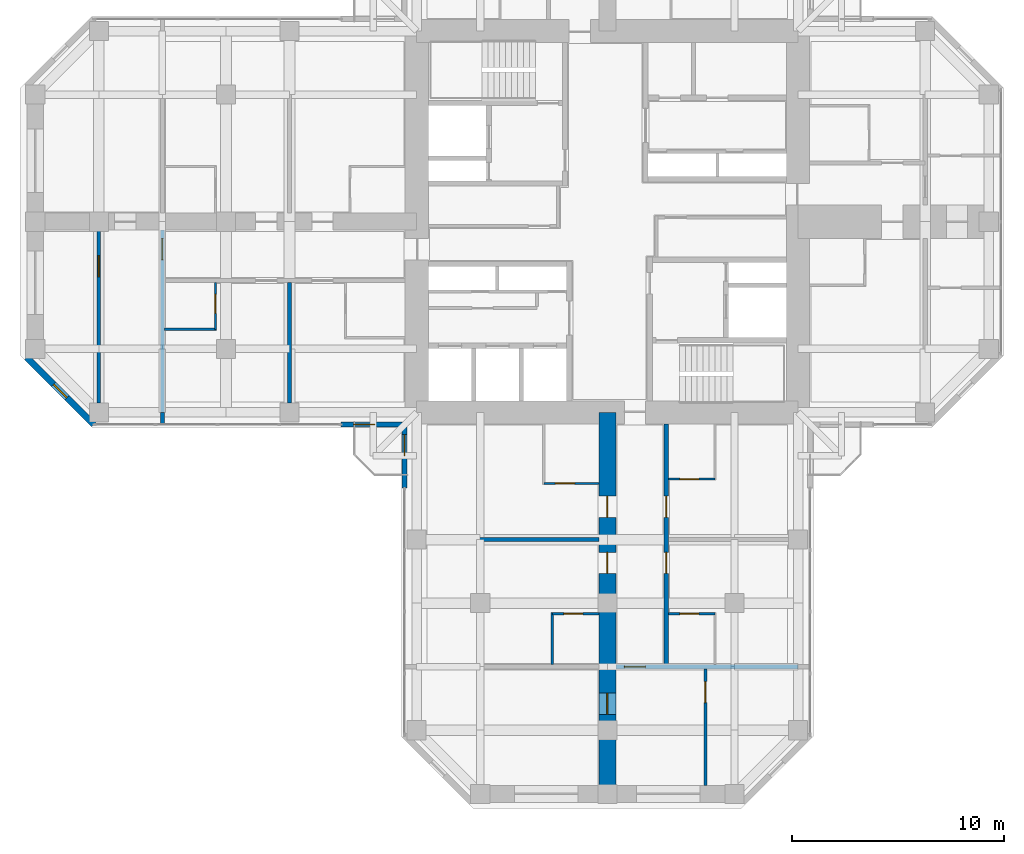
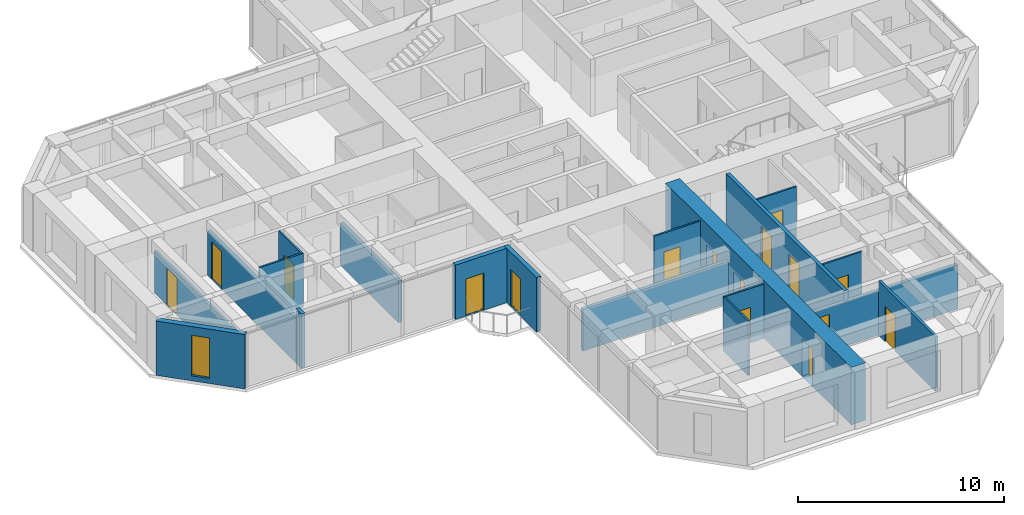
# One storey, part 8 of 14: 19 walls, 16 doors, 1 window, 17 openings.
"""IFC4 building model written with IfcOpenShell, lengths in metres."""

from ifc_helpers import new_model, si_unit, direction, frame, frame_2d, origin, place, context, subcontext, project, spatial, rectangle, hollow_rectangle, extrude, material, layer, layer_set, constituent, constituent_set, type_object, element, fill, save


model = new_model("IFC4")

# Units and contexts
model_context = context("Model", 3, precision=1e-05, world=origin(), true_north=direction((0.0, 1.0)))
body_context = subcontext(model_context, "Body", "Model", "MODEL_VIEW")
ifc_project = project(units=[si_unit("LENGTHUNIT", "METRE"), si_unit("AREAUNIT", "SQUARE_METRE"), si_unit("VOLUMEUNIT", "CUBIC_METRE"), si_unit("PLANEANGLEUNIT", "RADIAN"), si_unit("MASSUNIT", "GRAM", prefix="KILO")], contexts=[model_context])

# Site, building, storey
site_placement = place(None, origin())
site = spatial("IfcSite", under=ifc_project, at=site_placement, CompositionType="ELEMENT")
building_placement = place(site_placement, origin())
building = spatial("IfcBuilding", under=site, at=building_placement, Name="Torre Cruceta", CompositionType="ELEMENT")
storey_placement = place(building_placement, frame((0.0, 0.0, 176.300048828125)))
storey = spatial("IfcBuildingStorey", under=building, at=storey_placement, Name="L43", CompositionType="ELEMENT", Elevation=176.300048828125)

# Wall, opening, door
ifc_material_1 = material(Name="Water-resistant plasterboard on steel studs", Category="steel")
ifc_layer_1 = layer(ifc_material_1, 0.10009765625)
ifc_layer_set_1 = layer_set([ifc_layer_1], Name="Water-resistant plasterboard on steel studs")
wall_type_1 = type_object("IfcWallType", Name="BATHROOM WALL 100", PredefinedType="PARTITIONING", material=ifc_layer_set_1)
wall_1_placement = place(storey_placement, frame((2.875, -12.14990234375, 0.0), z_axis=(0.0, 0.0, 1.0), x_axis=(1.0, 0.0, 0.0)))
wall_1 = element("IfcWall", 1, at=wall_1_placement, inside=storey, type_object=wall_type_1, Name="PT4 L43-S-U1LBS", PredefinedType="PARTITIONING", context=body_context, shape_type="SweptSolid", body=[
    extrude(rectangle(XDim=2.199951171875, YDim=0.10009765625, at=frame_2d((1.10009765625, 0.0))), origin(), (0.0, 0.0, 1.0), 3.219970703125),
])
opening_1_placement = place(wall_1_placement, frame((0.550048828125, 0.0, 0.0)))
opening_1 = element("IfcOpeningElement", 2, at=opening_1_placement, cuts=wall_1, Name="Opening D7", PredefinedType="OPENING", context=body_context, shape_type="SweptSolid", body=[
    extrude(rectangle(XDim=0.89990234375, YDim=2.10009765625, at=frame_2d((0.449951171875, 1.050048828125))), frame((0.0, 0.06005859375, 0.0), z_axis=(0.0, -1.0, 0.0), x_axis=(1.0, 0.0, 0.0)), (0.0, 0.0, 1.0), 0.1201171875),
])
ifc_material_2 = material(Name="Timber door", Category="wood")
door_type_1 = type_object("IfcDoorType", Name="BATHROOM DOOR 900X2100", OperationType="SINGLE_SWING_LEFT", PredefinedType="DOOR", material=ifc_material_2)
door_1_placement = place(opening_1_placement, origin())
door_1 = element("IfcDoor", 3, at=door_1_placement, inside=storey, type_object=door_type_1, Name="D7 L43-S-U1LBS-D1", OperationType="SINGLE_SWING_LEFT", OverallHeight=2.10009765625, OverallWidth=0.89990234375, PredefinedType="DOOR", context=body_context, shape_type="SweptSolid", body=[
    extrude(rectangle(XDim=0.89990234375, YDim=2.10009765625, at=frame_2d((0.449951171875, 1.050048828125))), frame((0.0, 0.02490234375, 0.0), z_axis=(0.0, -1.0, 0.0), x_axis=(1.0, 0.0, 0.0)), (0.0, 0.0, 1.0), 0.050048828125),
])
fill(opening_1, door_1)

wall_2_placement = place(storey_placement, frame((-3.0, -12.35009765625, 0.0), z_axis=(0.0, 0.0, 1.0), x_axis=(1.0, 0.0, 0.0)))
wall_2 = element("IfcWall", 4, at=wall_2_placement, inside=storey, type_object=wall_type_1, Name="PT4 L43-S-U1RBS", PredefinedType="PARTITIONING", context=body_context, shape_type="SweptSolid", body=[
    extrude(rectangle(XDim=2.60009765625, YDim=0.10009765625, at=frame_2d((1.300048828125, 0.0))), origin(), (0.0, 0.0, 1.0), 3.219970703125),
])
opening_2_placement = place(wall_2_placement, frame((0.550048828125, 0.0, 0.0)))
opening_2 = element("IfcOpeningElement", 5, at=opening_2_placement, cuts=wall_2, Name="Opening D7", PredefinedType="OPENING", context=body_context, shape_type="SweptSolid", body=[
    extrude(rectangle(XDim=0.89990234375, YDim=2.10009765625, at=frame_2d((0.449951171875, 1.050048828125))), frame((0.0, 0.06005859375, 0.0), z_axis=(0.0, -1.0, 0.0), x_axis=(1.0, 0.0, 0.0)), (0.0, 0.0, 1.0), 0.1201171875),
])
door_2_placement = place(opening_2_placement, origin())
door_2 = element("IfcDoor", 6, at=door_2_placement, inside=storey, type_object=door_type_1, Name="D7 L43-S-U1RBS-D1", OperationType="SINGLE_SWING_LEFT", OverallHeight=2.10009765625, OverallWidth=0.89990234375, PredefinedType="DOOR", context=body_context, shape_type="SweptSolid", body=[
    extrude(rectangle(XDim=0.89990234375, YDim=2.10009765625, at=frame_2d((0.449951171875, 1.050048828125))), frame((0.0, 0.02490234375, 0.0), z_axis=(0.0, -1.0, 0.0), x_axis=(1.0, 0.0, 0.0)), (0.0, 0.0, 1.0), 0.050048828125),
])
fill(opening_2, door_2)

wall_3_placement = place(storey_placement, frame((2.875, -18.5, 0.0), z_axis=(0.0, 0.0, 1.0), x_axis=(1.0, 0.0, 0.0)))
wall_3 = element("IfcWall", 7, at=wall_3_placement, inside=storey, type_object=wall_type_1, Name="PT4 L43-S-U2LBS", PredefinedType="PARTITIONING", context=body_context, shape_type="SweptSolid", body=[
    extrude(rectangle(XDim=2.199951171875, YDim=0.10009765625, at=frame_2d((1.10009765625, 0.0))), origin(), (0.0, 0.0, 1.0), 3.219970703125),
])
opening_3_placement = place(wall_3_placement, frame((0.550048828125, 0.0, 0.0)))
opening_3 = element("IfcOpeningElement", 8, at=opening_3_placement, cuts=wall_3, Name="Opening D7", PredefinedType="OPENING", context=body_context, shape_type="SweptSolid", body=[
    extrude(rectangle(XDim=0.89990234375, YDim=2.10009765625, at=frame_2d((0.449951171875, 1.050048828125))), frame((0.0, 0.06005859375, 0.0), z_axis=(0.0, -1.0, 0.0), x_axis=(1.0, 0.0, 0.0)), (0.0, 0.0, 1.0), 0.1201171875),
])
door_3_placement = place(opening_3_placement, frame((0.89990234375, 0.0, 0.0), z_axis=(0.0, 0.0, 1.0), x_axis=(-1.0, 0.0, 0.0)))
door_3 = element("IfcDoor", 9, at=door_3_placement, inside=storey, type_object=door_type_1, Name="D7 L43-S-U2LBS-D1", OperationType="SINGLE_SWING_RIGHT", OverallHeight=2.10009765625, OverallWidth=0.89990234375, PredefinedType="DOOR", context=body_context, shape_type="SweptSolid", body=[
    extrude(rectangle(XDim=0.89990234375, YDim=2.10009765625, at=frame_2d((0.449951171875, 1.050048828125))), frame((0.0, 0.025146484375, 0.0), z_axis=(0.0, -1.0, 0.0), x_axis=(1.0, 0.0, 0.0)), (0.0, 0.0, 1.0), 0.050048828125),
])
fill(opening_3, door_3)

# Wall
wall_4_placement = place(storey_placement, frame((-2.60009765625, -18.449951171875, 0.0), z_axis=(0.0, 0.0, 1.0), x_axis=(0.0, -1.0, 0.0)))
element("IfcWall", 10, at=wall_4_placement, inside=storey, type_object=wall_type_1, Name="PT4 L43-S-U2RBB", PredefinedType="PARTITIONING", context=body_context, shape_type="SweptSolid", body=[
    extrude(rectangle(XDim=2.449951171875, YDim=0.10009765625, at=frame_2d((1.22509765625, 0.0))), origin(), (0.0, 0.0, 1.0), 3.219970703125),
])

# Wall, opening, door
wall_5_placement = place(storey_placement, frame((-2.60009765625, -18.5, 0.0), z_axis=(0.0, 0.0, 1.0), x_axis=(1.0, 0.0, 0.0)))
wall_5 = element("IfcWall", 11, at=wall_5_placement, inside=storey, type_object=wall_type_1, Name="PT4 L43-S-U2RBS", PredefinedType="PARTITIONING", context=body_context, shape_type="SweptSolid", body=[
    extrude(rectangle(XDim=2.2001953125, YDim=0.10009765625, at=frame_2d((1.10009765625, 0.0))), origin(), (0.0, 0.0, 1.0), 3.219970703125),
])
opening_4_placement = place(wall_5_placement, frame((0.550048828125, 0.0, 0.0)))
opening_4 = element("IfcOpeningElement", 12, at=opening_4_placement, cuts=wall_5, Name="Opening D7", PredefinedType="OPENING", context=body_context, shape_type="SweptSolid", body=[
    extrude(rectangle(XDim=0.89990234375, YDim=2.10009765625, at=frame_2d((0.449951171875, 1.050048828125))), frame((0.0, 0.06005859375, 0.0), z_axis=(0.0, -1.0, 0.0), x_axis=(1.0, 0.0, 0.0)), (0.0, 0.0, 1.0), 0.1201171875),
])
door_4_placement = place(opening_4_placement, frame((0.89990234375, 0.0, 0.0), z_axis=(0.0, 0.0, 1.0), x_axis=(-1.0, 0.0, 0.0)))
door_4 = element("IfcDoor", 13, at=door_4_placement, inside=storey, type_object=door_type_1, Name="D7 L43-S-U2RBS-D1", OperationType="SINGLE_SWING_RIGHT", OverallHeight=2.10009765625, OverallWidth=0.89990234375, PredefinedType="DOOR", context=body_context, shape_type="SweptSolid", body=[
    extrude(rectangle(XDim=0.89990234375, YDim=2.10009765625, at=frame_2d((0.449951171875, 1.050048828125))), frame((0.0, 0.025146484375, 0.0), z_axis=(0.0, -1.0, 0.0), x_axis=(1.0, 0.0, 0.0)), (0.0, 0.0, 1.0), 0.050048828125),
])
fill(opening_4, door_4)

# Wall
wall_6_placement = place(storey_placement, frame((-18.449951171875, -5.074951171875, 0.0), z_axis=(0.0, 0.0, 1.0), x_axis=(-1.0, 0.0, 0.0)))
element("IfcWall", 14, at=wall_6_placement, inside=storey, type_object=wall_type_1, Name="PT4 L43-W-U2LBB", PredefinedType="PARTITIONING", context=body_context, shape_type="SweptSolid", body=[
    extrude(rectangle(XDim=2.449951171875, YDim=0.10009765625, at=frame_2d((1.22509765625, 0.0))), origin(), (0.0, 0.0, 1.0), 3.219970703125),
])

# Wall, opening, door
wall_7_placement = place(storey_placement, frame((-18.5, -2.875, 0.0), z_axis=(0.0, 0.0, 1.0), x_axis=(0.0, -1.0, 0.0)))
wall_7 = element("IfcWall", 15, at=wall_7_placement, inside=storey, type_object=wall_type_1, Name="PT4 L43-W-U2LBS", PredefinedType="PARTITIONING", context=body_context, shape_type="SweptSolid", body=[
    extrude(rectangle(XDim=2.199951171875, YDim=0.10009765625, at=frame_2d((1.10009765625, 0.0))), origin(), (0.0, 0.0, 1.0), 3.219970703125),
])
opening_5_placement = place(wall_7_placement, frame((0.550048828125, 0.0, 0.0)))
opening_5 = element("IfcOpeningElement", 16, at=opening_5_placement, cuts=wall_7, Name="Opening D7", PredefinedType="OPENING", context=body_context, shape_type="SweptSolid", body=[
    extrude(rectangle(XDim=0.89990234375, YDim=2.10009765625, at=frame_2d((0.449951171875, 1.050048828125))), frame((0.0, 0.06005859375, 0.0), z_axis=(0.0, -1.0, 0.0), x_axis=(1.0, 0.0, 0.0)), (0.0, 0.0, 1.0), 0.1201171875),
])
door_5_placement = place(opening_5_placement, frame((0.89990234375, 0.0, 0.0), z_axis=(0.0, 0.0, 1.0), x_axis=(-1.0, 0.0, 0.0)))
door_5 = element("IfcDoor", 17, at=door_5_placement, inside=storey, type_object=door_type_1, Name="D7 L43-W-U2LBS-D1", OperationType="SINGLE_SWING_RIGHT", OverallHeight=2.10009765625, OverallWidth=0.89990234375, PredefinedType="DOOR", context=body_context, shape_type="SweptSolid", body=[
    extrude(rectangle(XDim=0.89990234375, YDim=2.10009765625, at=frame_2d((0.449951171875, 1.050048828125))), frame((0.0, 0.025146484375, 0.0), z_axis=(0.0, -1.0, 0.0), x_axis=(1.0, 0.0, 0.0)), (0.0, 0.0, 1.0), 0.050048828125),
])
fill(opening_5, door_5)

# Wall, openings, doors
ifc_material_3 = material(Name="Concrete G25 (fck 25 MPa)", Category="concrete")
ifc_layer_2 = layer(ifc_material_3, 0.199951171875)
ifc_layer_set_2 = layer_set([ifc_layer_2], Name="Concrete G25 (fck 25 MPa)")
wall_type_2 = type_object("IfcWallType", Name="CORRIDOR WALL 200", PredefinedType="SOLIDWALL", material=ifc_layer_set_2)
wall_8_placement = place(storey_placement, frame((2.77490234375, -9.550048828125, 0.0), z_axis=(0.0, 0.0, 1.0), x_axis=(0.0, -1.0, 0.0)))
wall_8 = element("IfcWall", 18, at=wall_8_placement, inside=storey, type_object=wall_type_2, Name="PT3 L43-S-CL", PredefinedType="SOLIDWALL", context=body_context, shape_type="SweptSolid", body=[
    extrude(rectangle(XDim=11.449951171875, YDim=0.199951171875, at=frame_2d((5.72509765625, 0.0))), origin(), (0.0, 0.0, 1.0), 3.219970703125),
])
opening_6_placement = place(wall_8_placement, frame((3.39990234375, 0.0, 0.0)))
opening_6 = element("IfcOpeningElement", 19, at=opening_6_placement, cuts=wall_8, Name="Opening D6", PredefinedType="OPENING", context=body_context, shape_type="SweptSolid", body=[
    extrude(rectangle(XDim=1.0, YDim=2.14990234375, at=frame_2d((0.5, 1.074951171875))), frame((0.0, 0.10986328125, 0.0), z_axis=(0.0, -1.0, 0.0), x_axis=(1.0, 0.0, 0.0)), (0.0, 0.0, 1.0), 0.219970703125),
])
opening_7_placement = place(wall_8_placement, frame((6.050048828125, 0.0, 0.0)))
opening_7 = element("IfcOpeningElement", 20, at=opening_7_placement, cuts=wall_8, Name="Opening D6", PredefinedType="OPENING", context=body_context, shape_type="SweptSolid", body=[
    extrude(rectangle(XDim=1.0, YDim=2.14990234375, at=frame_2d((0.5, 1.074951171875))), frame((0.0, 0.10986328125, 0.0), z_axis=(0.0, -1.0, 0.0), x_axis=(1.0, 0.0, 0.0)), (0.0, 0.0, 1.0), 0.219970703125),
])
ifc_material_4 = material(Name="Timber fire door", Category="wood")
door_type_2 = type_object("IfcDoorType", Name="UNIT ENTRANCE DOOR 1000X2150", OperationType="SINGLE_SWING_LEFT", PredefinedType="DOOR", material=ifc_material_4)
door_6_placement = place(opening_6_placement, origin())
door_6 = element("IfcDoor", 21, at=door_6_placement, inside=storey, type_object=door_type_2, Name="D6 L43-S-CL-D1", OperationType="SINGLE_SWING_LEFT", OverallHeight=2.14990234375, OverallWidth=1.0, PredefinedType="DOOR", context=body_context, shape_type="SweptSolid", body=[
    extrude(rectangle(XDim=1.0, YDim=2.14990234375, at=frame_2d((0.5, 1.074951171875))), frame((0.0, 0.02490234375, 0.0), z_axis=(0.0, -1.0, 0.0), x_axis=(1.0, 0.0, 0.0)), (0.0, 0.0, 1.0), 0.050048828125),
])
fill(opening_6, door_6)
door_7_placement = place(opening_7_placement, origin())
door_7 = element("IfcDoor", 22, at=door_7_placement, inside=storey, type_object=door_type_2, Name="D6 L43-S-CL-D2", OperationType="SINGLE_SWING_LEFT", OverallHeight=2.14990234375, OverallWidth=1.0, PredefinedType="DOOR", context=body_context, shape_type="SweptSolid", body=[
    extrude(rectangle(XDim=1.0, YDim=2.14990234375, at=frame_2d((0.5, 1.074951171875))), frame((0.0, 0.02490234375, 0.0), z_axis=(0.0, -1.0, 0.0), x_axis=(1.0, 0.0, 0.0)), (0.0, 0.0, 1.0), 0.050048828125),
])
fill(opening_7, door_7)

# Wall, opening, window
ifc_material_5 = material(Name="Concrete G30 (fck 30 MPa)", Category="concrete")
ifc_layer_3 = layer(ifc_material_5, 0.300048828125)
ifc_layer_set_3 = layer_set([ifc_layer_3], Name="Concrete G30 (fck 30 MPa)")
wall_type_3 = type_object("IfcWallType", Name="EXPOSED CONCRETE FACADE WALL 300", PredefinedType="SOLIDWALL", material=ifc_layer_set_3)
wall_9_placement = place(storey_placement, frame((-27.39990234375, -6.406005859375, 0.0), z_axis=(0.0, 0.0, 1.0), x_axis=(0.707079499254, -0.707134062067, 0.0)))
wall_9 = element("IfcWall", 23, at=wall_9_placement, inside=storey, type_object=wall_type_3, Name="EW1 facade wall L43 W chamfer 13", PredefinedType="SOLIDWALL", context=body_context, shape_type="SweptSolid", body=[
    extrude(rectangle(XDim=4.474609375, YDim=0.300048828125, at=frame_2d((2.2373046875, 0.0))), origin(), (0.0, 0.0, 1.0), 3.219970703125),
])
opening_8_placement = place(wall_9_placement, frame((1.787109375, 0.0, 0.300048828125)))
opening_8 = element("IfcOpeningElement", 24, at=opening_8_placement, cuts=wall_9, Name="Opening WN5", PredefinedType="OPENING", context=body_context, shape_type="SweptSolid", body=[
    extrude(rectangle(XDim=0.89990234375, YDim=2.39990234375, at=frame_2d((0.449951171875, 1.199951171875))), frame((0.0, 0.159912109375, 0.0), z_axis=(0.0, -1.0, 0.0), x_axis=(1.0, 0.0, 0.0)), (0.0, 0.0, 1.0), 0.320068359375),
])
ifc_material_6 = material(Name="Aluminium window frame", Category="aluminium")
ifc_constituent_1 = constituent(ifc_material_6, Name="Frame")
ifc_material_7 = material(Name="Laminated insulating glass unit, low-iron clear", Category="glass")
ifc_constituent_2 = constituent(ifc_material_7, Name="Glazing")
ifc_constituent_set_1 = constituent_set(constituents=[ifc_constituent_1, ifc_constituent_2], Name="Aluminium window")
window_type = type_object("IfcWindowType", Name="CHAMFER SLOT WINDOW 900X2400", PartitioningType="SINGLE_PANEL", PredefinedType="WINDOW", material=ifc_constituent_set_1)
window_placement = place(opening_8_placement, origin())
window = element("IfcWindow", 25, at=window_placement, inside=storey, type_object=window_type, Name="WN5 L43 W 1", OverallHeight=2.39990234375, OverallWidth=0.89990234375, PartitioningType="SINGLE_PANEL", PredefinedType="WINDOW", context=body_context, shape_type="SweptSolid", body=[
    extrude(hollow_rectangle(XDim=0.89990234375, YDim=2.39990234375, WallThickness=0.06005859375, at=frame_2d((0.449951171875, 1.199951171875))), frame((0.0, 0.030029296875, 0.0), z_axis=(0.0, -1.0, 0.0), x_axis=(1.0, 0.0, 0.0)), (0.0, 0.0, 1.0), 0.06005859375),
    extrude(rectangle(XDim=0.77880859375, YDim=2.27880859375, at=frame_2d((0.449951171875, 1.199951171875))), frame((0.0, 0.030029296875, 0.0), z_axis=(0.0, -1.0, 0.0), x_axis=(1.0, 0.0, 0.0)), (0.0, 0.0, 1.0), 0.06005859375),
])
fill(opening_8, window)

# Wall, opening, door
ifc_material_8 = material(Name="Plasterboard on steel studs", Category="steel")
ifc_layer_4 = layer(ifc_material_8, 0.14990234375)
ifc_layer_set_4 = layer_set([ifc_layer_4], Name="Plasterboard on steel studs")
wall_type_4 = type_object("IfcWallType", Name="PARTITION 150", PredefinedType="PARTITIONING", material=ifc_layer_set_4)
wall_10_placement = place(storey_placement, frame((4.625, -21.10009765625, 0.0), z_axis=(0.0, 0.0, 1.0), x_axis=(0.0, -1.0, 0.0)))
wall_10 = element("IfcWall", 26, at=wall_10_placement, inside=storey, type_object=wall_type_4, Name="PT1 L43-S-ENDX", PredefinedType="PARTITIONING", context=body_context, shape_type="SweptSolid", body=[
    extrude(rectangle(XDim=5.5, YDim=0.14990234375, at=frame_2d((2.75, 0.0))), origin(), (0.0, 0.0, 1.0), 3.219970703125),
])
opening_9_placement = place(wall_10_placement, frame((0.60009765625, 0.0, 0.0)))
opening_9 = element("IfcOpeningElement", 27, at=opening_9_placement, cuts=wall_10, Name="Opening D3", PredefinedType="OPENING", context=body_context, shape_type="SweptSolid", body=[
    extrude(rectangle(XDim=1.0, YDim=2.10009765625, at=frame_2d((0.5, 1.050048828125))), frame((0.0, 0.0849609375, 0.0), z_axis=(0.0, -1.0, 0.0), x_axis=(1.0, 0.0, 0.0)), (0.0, 0.0, 1.0), 0.169921875),
])
ifc_material_9 = material(Name="Steel DX51D", Category="steel")
ifc_constituent_3 = constituent(ifc_material_9, Name="Leaf and frame")
ifc_material_10 = material(Name="Polyester powder coating", Category="paint")
ifc_constituent_4 = constituent(ifc_material_10, Name="Finish")
ifc_constituent_set_2 = constituent_set(constituents=[ifc_constituent_3, ifc_constituent_4], Name="Steel fire door")
door_type_3 = type_object("IfcDoorType", Name="FIRE DOOR 1000X2100", OperationType="SINGLE_SWING_LEFT", PredefinedType="DOOR", material=ifc_constituent_set_2)
door_8_placement = place(opening_9_placement, origin())
door_8 = element("IfcDoor", 28, at=door_8_placement, inside=storey, type_object=door_type_3, Name="D3 L43-S-ENDX-D1", OperationType="SINGLE_SWING_LEFT", OverallHeight=2.10009765625, OverallWidth=1.0, PredefinedType="DOOR", context=body_context, shape_type="SweptSolid", body=[
    extrude(rectangle(XDim=1.0, YDim=2.10009765625, at=frame_2d((0.5, 1.050048828125))), frame((0.0, 0.02490234375, 0.0), z_axis=(0.0, -1.0, 0.0), x_axis=(1.0, 0.0, 0.0)), (0.0, 0.0, 1.0), 0.050048828125),
])
fill(opening_9, door_8)

wall_11_placement = place(storey_placement, frame((-24.0, -0.39990234375, 0.0), z_axis=(0.0, 0.0, 1.0), x_axis=(0.0, -1.0, 0.0)))
wall_11 = element("IfcWall", 29, at=wall_11_placement, inside=storey, type_object=wall_type_4, Name="PT1 L43-W-ENDX", PredefinedType="PARTITIONING", context=body_context, shape_type="SweptSolid", body=[
    extrude(rectangle(XDim=8.150146484375, YDim=0.14990234375, at=frame_2d((4.0751953125, 0.0))), origin(), (0.0, 0.0, 1.0), 2.469970703125),
])
opening_10_placement = place(wall_11_placement, frame((1.199951171875, 0.0, 0.0)))
opening_10 = element("IfcOpeningElement", 30, at=opening_10_placement, cuts=wall_11, Name="Opening D14", PredefinedType="OPENING", context=body_context, shape_type="SweptSolid", body=[
    extrude(rectangle(XDim=1.0, YDim=2.199951171875, at=frame_2d((0.5, 1.10009765625))), frame((0.0, 0.0849609375, 0.0), z_axis=(0.0, -1.0, 0.0), x_axis=(1.0, 0.0, 0.0)), (0.0, 0.0, 1.0), 0.169921875),
])
ifc_material_11 = material(Name="Steel DX51D", Category="steel")
ifc_constituent_5 = constituent(ifc_material_11, Name="Leaf and frame")
ifc_material_12 = material(Name="Polyester powder coating", Category="paint")
ifc_constituent_6 = constituent(ifc_material_12, Name="Finish")
ifc_material_13 = material(Name="Fire-resisting glass", Category="glass")
ifc_constituent_7 = constituent(ifc_material_13, Name="Vision panel")
ifc_constituent_set_3 = constituent_set(constituents=[ifc_constituent_5, ifc_constituent_6, ifc_constituent_7], Name="Steel fire door with vision panel")
door_type_4 = type_object("IfcDoorType", Name="FIRE DOOR VISION PANEL 1000X2200", OperationType="SINGLE_SWING_RIGHT", PredefinedType="DOOR", material=ifc_constituent_set_3)
door_9_placement = place(opening_10_placement, frame((1.0, 0.0, 0.0), z_axis=(0.0, 0.0, 1.0), x_axis=(-1.0, 0.0, 0.0)))
door_9 = element("IfcDoor", 31, at=door_9_placement, inside=storey, type_object=door_type_4, Name="D14 L43-W-ENDX-D1", OperationType="SINGLE_SWING_RIGHT", OverallHeight=2.199951171875, OverallWidth=1.0, PredefinedType="DOOR", context=body_context, shape_type="SweptSolid", body=[
    extrude(rectangle(XDim=1.0, YDim=2.199951171875, at=frame_2d((0.5, 1.10009765625))), frame((0.0, 0.025146484375, 0.0), z_axis=(0.0, -1.0, 0.0), x_axis=(1.0, 0.0, 0.0)), (0.0, 0.0, 1.0), 0.050048828125),
])
fill(opening_10, door_9)

# Wall, openings, doors
ifc_material_14 = material(Name="Concrete G60 (fck 60 MPa)", Category="concrete")
ifc_layer_5 = layer(ifc_material_14, 0.800048828125)
ifc_layer_set_5 = layer_set([ifc_layer_5], Name="Concrete G60 (fck 60 MPa)")
wall_type_5 = type_object("IfcWallType", Name="SPINE WALL 800 G60", PredefinedType="SHEAR", material=ifc_layer_set_5)
wall_12_placement = place(storey_placement, frame((0.0, -9.0, 0.0), z_axis=(0.0, 0.0, 1.0), x_axis=(0.0, -1.0, 0.0)))
wall_12 = element("IfcWall", 32, at=wall_12_placement, inside=storey, type_object=wall_type_5, Name="SW4 spine wall L43 S", PredefinedType="SHEAR", context=body_context, shape_type="SweptSolid", body=[
    extrude(rectangle(XDim=18.0, YDim=0.800048828125, at=frame_2d((9.0, 0.0))), origin(), (0.0, 0.0, 1.0), 3.39990234375),
])
opening_11_placement = place(wall_12_placement, frame((3.949951171875, 0.0, 0.0)))
opening_11 = element("IfcOpeningElement", 33, at=opening_11_placement, cuts=wall_12, Name="Opening D6", PredefinedType="OPENING", context=body_context, shape_type="SweptSolid", body=[
    extrude(rectangle(XDim=1.0, YDim=2.14990234375, at=frame_2d((0.5, 1.074951171875))), frame((0.0, 0.409912109375, 0.0), z_axis=(0.0, -1.0, 0.0), x_axis=(1.0, 0.0, 0.0)), (0.0, 0.0, 1.0), 0.820068359375),
])
opening_12_placement = place(wall_12_placement, frame((6.60009765625, 0.0, 0.0)))
opening_12 = element("IfcOpeningElement", 34, at=opening_12_placement, cuts=wall_12, Name="Opening D6", PredefinedType="OPENING", context=body_context, shape_type="SweptSolid", body=[
    extrude(rectangle(XDim=1.0, YDim=2.14990234375, at=frame_2d((0.5, 1.074951171875))), frame((0.0, 0.409912109375, 0.0), z_axis=(0.0, -1.0, 0.0), x_axis=(1.0, 0.0, 0.0)), (0.0, 0.0, 1.0), 0.820068359375),
])
opening_13_placement = place(wall_12_placement, frame((13.25, 0.0, 0.0)))
opening_13 = element("IfcOpeningElement", 35, at=opening_13_placement, cuts=wall_12, Name="Opening D14", PredefinedType="OPENING", context=body_context, shape_type="SweptSolid", body=[
    extrude(rectangle(XDim=1.0, YDim=2.199951171875, at=frame_2d((0.5, 1.10009765625))), frame((0.0, 0.409912109375, 0.0), z_axis=(0.0, -1.0, 0.0), x_axis=(1.0, 0.0, 0.0)), (0.0, 0.0, 1.0), 0.820068359375),
])
door_10_placement = place(opening_13_placement, origin())
door_10 = element("IfcDoor", 36, at=door_10_placement, inside=storey, type_object=door_type_4, Name="D14 L43-S-SP3", OperationType="SINGLE_SWING_LEFT", OverallHeight=2.199951171875, OverallWidth=1.0, PredefinedType="DOOR", context=body_context, shape_type="SweptSolid", body=[
    extrude(rectangle(XDim=1.0, YDim=2.199951171875, at=frame_2d((0.5, 1.10009765625))), frame((0.0, 0.02490234375, 0.0), z_axis=(0.0, -1.0, 0.0), x_axis=(1.0, 0.0, 0.0)), (0.0, 0.0, 1.0), 0.050048828125),
])
fill(opening_13, door_10)
door_11_placement = place(opening_11_placement, frame((1.0, 0.0, 0.0), z_axis=(0.0, 0.0, 1.0), x_axis=(-1.0, 0.0, 0.0)))
door_11 = element("IfcDoor", 37, at=door_11_placement, inside=storey, type_object=door_type_2, Name="D6 L43-S-SP1", OperationType="SINGLE_SWING_RIGHT", OverallHeight=2.14990234375, OverallWidth=1.0, PredefinedType="DOOR", context=body_context, shape_type="SweptSolid", body=[
    extrude(rectangle(XDim=1.0, YDim=2.14990234375, at=frame_2d((0.5, 1.074951171875))), frame((0.0, 0.025146484375, 0.0), z_axis=(0.0, -1.0, 0.0), x_axis=(1.0, 0.0, 0.0)), (0.0, 0.0, 1.0), 0.050048828125),
])
fill(opening_11, door_11)
door_12_placement = place(opening_12_placement, frame((1.0, 0.0, 0.0), z_axis=(0.0, 0.0, 1.0), x_axis=(-1.0, 0.0, 0.0)))
door_12 = element("IfcDoor", 38, at=door_12_placement, inside=storey, type_object=door_type_2, Name="D6 L43-S-SP2", OperationType="SINGLE_SWING_RIGHT", OverallHeight=2.14990234375, OverallWidth=1.0, PredefinedType="DOOR", context=body_context, shape_type="SweptSolid", body=[
    extrude(rectangle(XDim=1.0, YDim=2.14990234375, at=frame_2d((0.5, 1.074951171875))), frame((0.0, 0.025146484375, 0.0), z_axis=(0.0, -1.0, 0.0), x_axis=(1.0, 0.0, 0.0)), (0.0, 0.0, 1.0), 0.050048828125),
])
fill(opening_12, door_12)

# Wall
ifc_material_15 = material(Name="Concrete G25 (fck 25 MPa)", Category="concrete")
ifc_layer_6 = layer(ifc_material_15, 0.199951171875)
ifc_layer_set_6 = layer_set([ifc_layer_6], Name="Concrete G25 (fck 25 MPa)")
wall_type_6 = type_object("IfcWallType", Name="UNIT SEPARATING WALL 200", PredefinedType="SOLIDWALL", material=ifc_layer_set_6)
wall_13_placement = place(storey_placement, frame((-8.550048828125, -15.0, 0.0), z_axis=(0.0, 0.0, 1.0), x_axis=(1.0, 0.0, 0.0)))
element("IfcWall", 39, at=wall_13_placement, inside=storey, type_object=wall_type_6, Name="PT2 L43-S-P1R", PredefinedType="SOLIDWALL", context=body_context, shape_type="SweptSolid", body=[
    extrude(rectangle(XDim=8.150146484375, YDim=0.199951171875, at=frame_2d((4.0751953125, 0.0))), origin(), (0.0, 0.0, 1.0), 2.469970703125),
])

# Wall, opening, door
wall_14_placement = place(storey_placement, frame((0.39990234375, -21.0, 0.0), z_axis=(0.0, 0.0, 1.0), x_axis=(1.0, 0.0, 0.0)))
wall_14 = element("IfcWall", 40, at=wall_14_placement, inside=storey, type_object=wall_type_6, Name="PT2 L43-S-ENDb", PredefinedType="SOLIDWALL", context=body_context, shape_type="SweptSolid", body=[
    extrude(rectangle(XDim=8.60009765625, YDim=0.199951171875, at=frame_2d((4.300048828125, 0.0))), origin(), (0.0, 0.0, 1.0), 2.619873046875),
])
opening_14_placement = place(wall_14_placement, frame((0.39990234375, 0.0, 0.0)))
opening_14 = element("IfcOpeningElement", 41, at=opening_14_placement, cuts=wall_14, Name="Opening D14", PredefinedType="OPENING", context=body_context, shape_type="SweptSolid", body=[
    extrude(rectangle(XDim=1.0, YDim=2.199951171875, at=frame_2d((0.5, 1.10009765625))), frame((0.0, 0.10986328125, 0.0), z_axis=(0.0, -1.0, 0.0), x_axis=(1.0, 0.0, 0.0)), (0.0, 0.0, 1.0), 0.219970703125),
])
door_13_placement = place(opening_14_placement, frame((1.0, 0.0, 0.0), z_axis=(0.0, 0.0, 1.0), x_axis=(-1.0, 0.0, 0.0)))
door_13 = element("IfcDoor", 42, at=door_13_placement, inside=storey, type_object=door_type_4, Name="D14 L43-S-ENDb-D1", OperationType="SINGLE_SWING_RIGHT", OverallHeight=2.199951171875, OverallWidth=1.0, PredefinedType="DOOR", context=body_context, shape_type="SweptSolid", body=[
    extrude(rectangle(XDim=1.0, YDim=2.199951171875, at=frame_2d((0.5, 1.10009765625))), frame((0.0, 0.025146484375, 0.0), z_axis=(0.0, -1.0, 0.0), x_axis=(1.0, 0.0, 0.0)), (0.0, 0.0, 1.0), 0.050048828125),
])
fill(opening_14, door_13)

# Wall
wall_15_placement = place(storey_placement, frame((-15.0, -2.875, 0.0), z_axis=(0.0, 0.0, 1.0), x_axis=(0.0, -1.0, 0.0)))
element("IfcWall", 43, at=wall_15_placement, inside=storey, type_object=wall_type_6, Name="PT2 L43-W-P1L", PredefinedType="SOLIDWALL", context=body_context, shape_type="SweptSolid", body=[
    extrude(rectangle(XDim=5.675048828125, YDim=0.199951171875, at=frame_2d((2.83740234375, 0.0))), origin(), (0.0, 0.0, 1.0), 2.469970703125),
])

# Wall, opening, door
wall_16_placement = place(storey_placement, frame((-21.0, -0.39990234375, 0.0), z_axis=(0.0, 0.0, 1.0), x_axis=(0.0, -1.0, 0.0)))
wall_16 = element("IfcWall", 44, at=wall_16_placement, inside=storey, type_object=wall_type_6, Name="PT2 L43-W-ENDb", PredefinedType="SOLIDWALL", context=body_context, shape_type="SweptSolid", body=[
    extrude(rectangle(XDim=8.60009765625, YDim=0.199951171875, at=frame_2d((4.300048828125, 0.0))), origin(), (0.0, 0.0, 1.0), 2.619873046875),
])
opening_15_placement = place(wall_16_placement, frame((0.39990234375, 0.0, 0.0)))
opening_15 = element("IfcOpeningElement", 45, at=opening_15_placement, cuts=wall_16, Name="Opening D14", PredefinedType="OPENING", context=body_context, shape_type="SweptSolid", body=[
    extrude(rectangle(XDim=1.0, YDim=2.199951171875, at=frame_2d((0.5, 1.10009765625))), frame((0.0, 0.10986328125, 0.0), z_axis=(0.0, -1.0, 0.0), x_axis=(1.0, 0.0, 0.0)), (0.0, 0.0, 1.0), 0.219970703125),
])
door_14_placement = place(opening_15_placement, frame((1.0, 0.0, 0.0), z_axis=(0.0, 0.0, 1.0), x_axis=(-1.0, 0.0, 0.0)))
door_14 = element("IfcDoor", 46, at=door_14_placement, inside=storey, type_object=door_type_4, Name="D14 L43-W-ENDb-D1", OperationType="SINGLE_SWING_RIGHT", OverallHeight=2.199951171875, OverallWidth=1.0, PredefinedType="DOOR", context=body_context, shape_type="SweptSolid", body=[
    extrude(rectangle(XDim=1.0, YDim=2.199951171875, at=frame_2d((0.5, 1.10009765625))), frame((0.0, 0.025146484375, 0.0), z_axis=(0.0, -1.0, 0.0), x_axis=(1.0, 0.0, 0.0)), (0.0, 0.0, 1.0), 0.050048828125),
])
fill(opening_15, door_14)

# Wall
wall_17_placement = place(storey_placement, frame((-21.0, -9.0, 0.0), z_axis=(0.0, 0.0, 1.0), x_axis=(0.0, -1.0, 0.0)))
element("IfcWall", 47, at=wall_17_placement, inside=storey, type_object=wall_type_6, Name="PT2 L43-W-ENDb 2", PredefinedType="SOLIDWALL", context=body_context, shape_type="SweptSolid", body=[
    extrude(rectangle(XDim=0.530029296875, YDim=0.199951171875, at=frame_2d((0.26513671875, 0.0))), origin(), (0.0, 0.0, 1.0), 3.219970703125),
])

# Wall, opening, door
ifc_material_16 = material(Name="Concrete G30 (fck 30 MPa)", Category="concrete")
ifc_layer_7 = layer(ifc_material_16, 0.25)
ifc_layer_set_7 = layer_set([ifc_layer_7], Name="Concrete G30 (fck 30 MPa)")
wall_type_7 = type_object("IfcWallType", Name="WINTER GARDEN WALL 250", PredefinedType="SOLIDWALL", material=ifc_layer_set_7)
wall_18_placement = place(storey_placement, frame((-12.570068359375, -9.570068359375, 0.0), z_axis=(0.0, 0.0, 1.0), x_axis=(1.0, 0.0, 0.0)))
wall_18 = element("IfcWall", 48, at=wall_18_placement, inside=storey, type_object=wall_type_7, Name="EW2 winter garden wall L43 14", PredefinedType="SOLIDWALL", context=body_context, shape_type="SweptSolid", body=[
    extrude(rectangle(XDim=2.875, YDim=0.25, at=frame_2d((1.4375, 0.0))), origin(), (0.0, 0.0, 1.0), 3.219970703125),
])
opening_16_placement = place(wall_18_placement, frame((0.60009765625, 0.0, 0.0)))
opening_16 = element("IfcOpeningElement", 49, at=opening_16_placement, cuts=wall_18, Name="Opening D10", PredefinedType="OPENING", context=body_context, shape_type="SweptSolid", body=[
    extrude(rectangle(XDim=1.0, YDim=2.199951171875, at=frame_2d((0.5, 1.10009765625))), frame((0.0, 0.135009765625, 0.0), z_axis=(0.0, -1.0, 0.0), x_axis=(1.0, 0.0, 0.0)), (0.0, 0.0, 1.0), 0.27001953125),
])
ifc_material_17 = material(Name="Aluminium door frame", Category="aluminium")
ifc_constituent_8 = constituent(ifc_material_17, Name="Frame")
ifc_material_18 = material(Name="Laminated safety glass", Category="glass")
ifc_constituent_9 = constituent(ifc_material_18, Name="Glazing")
ifc_constituent_set_4 = constituent_set(constituents=[ifc_constituent_8, ifc_constituent_9], Name="Aluminium glazed door")
door_type_5 = type_object("IfcDoorType", Name="BALCONY DOOR 1000X2200", OperationType="SINGLE_SWING_RIGHT", PredefinedType="DOOR", material=ifc_constituent_set_4)
door_15_placement = place(opening_16_placement, origin())
door_15 = element("IfcDoor", 50, at=door_15_placement, inside=storey, type_object=door_type_5, Name="D10 balcony door L43 14", OperationType="SINGLE_SWING_RIGHT", OverallHeight=2.199951171875, OverallWidth=1.0, PredefinedType="DOOR", context=body_context, shape_type="SweptSolid", body=[
    extrude(hollow_rectangle(XDim=1.0, YDim=2.199951171875, WallThickness=0.06005859375, at=frame_2d((0.5, 1.10009765625))), frame((0.0, 0.02490234375, 0.0), z_axis=(0.0, -1.0, 0.0), x_axis=(1.0, 0.0, 0.0)), (0.0, 0.0, 1.0), 0.050048828125),
    extrude(rectangle(XDim=0.87890625, YDim=2.078857421875, at=frame_2d((0.5, 1.10009765625))), frame((0.0, 0.02490234375, 0.0), z_axis=(0.0, -1.0, 0.0), x_axis=(1.0, 0.0, 0.0)), (0.0, 0.0, 1.0), 0.050048828125),
])
fill(opening_16, door_15)

wall_19_placement = place(storey_placement, frame((-9.570068359375, -9.445068359375, 0.0), z_axis=(0.0, 0.0, 1.0), x_axis=(0.0, -1.0, 0.0)))
wall_19 = element("IfcWall", 51, at=wall_19_placement, inside=storey, type_object=wall_type_7, Name="EW2 winter garden wall L43 15", PredefinedType="SOLIDWALL", context=body_context, shape_type="SweptSolid", body=[
    extrude(rectangle(XDim=3.125, YDim=0.25, at=frame_2d((1.5625, 0.0))), origin(), (0.0, 0.0, 1.0), 3.219970703125),
])
opening_17_placement = place(wall_19_placement, frame((0.60009765625, 0.0, 0.0)))
opening_17 = element("IfcOpeningElement", 52, at=opening_17_placement, cuts=wall_19, Name="Opening D10", PredefinedType="OPENING", context=body_context, shape_type="SweptSolid", body=[
    extrude(rectangle(XDim=1.0, YDim=2.199951171875, at=frame_2d((0.5, 1.10009765625))), frame((0.0, 0.135009765625, 0.0), z_axis=(0.0, -1.0, 0.0), x_axis=(1.0, 0.0, 0.0)), (0.0, 0.0, 1.0), 0.27001953125),
])
door_16_placement = place(opening_17_placement, origin())
door_16 = element("IfcDoor", 53, at=door_16_placement, inside=storey, type_object=door_type_5, Name="D10 balcony door L43 15", OperationType="SINGLE_SWING_LEFT", OverallHeight=2.199951171875, OverallWidth=1.0, PredefinedType="DOOR", context=body_context, shape_type="SweptSolid", body=[
    extrude(hollow_rectangle(XDim=1.0, YDim=2.199951171875, WallThickness=0.06005859375, at=frame_2d((0.5, 1.10009765625))), frame((0.0, 0.02490234375, 0.0), z_axis=(0.0, -1.0, 0.0), x_axis=(1.0, 0.0, 0.0)), (0.0, 0.0, 1.0), 0.050048828125),
    extrude(rectangle(XDim=0.87890625, YDim=2.078857421875, at=frame_2d((0.5, 1.10009765625))), frame((0.0, 0.02490234375, 0.0), z_axis=(0.0, -1.0, 0.0), x_axis=(1.0, 0.0, 0.0)), (0.0, 0.0, 1.0), 0.050048828125),
])
fill(opening_17, door_16)

save(model, "model.ifc")
